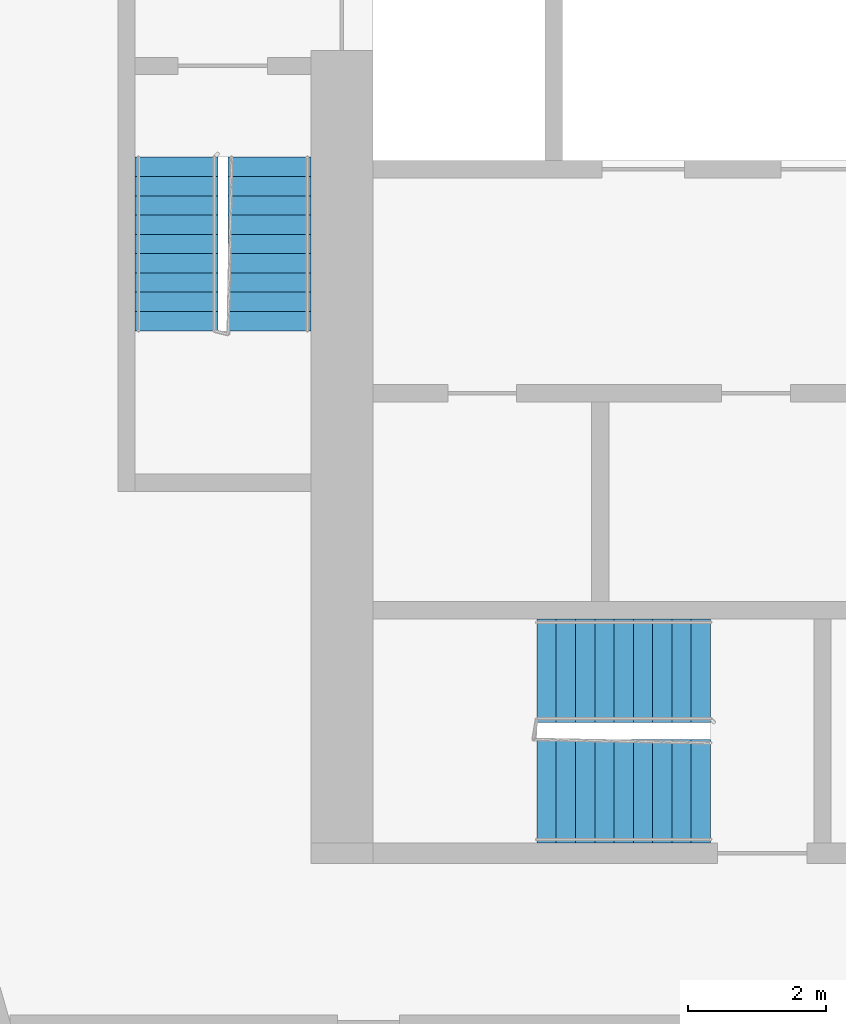
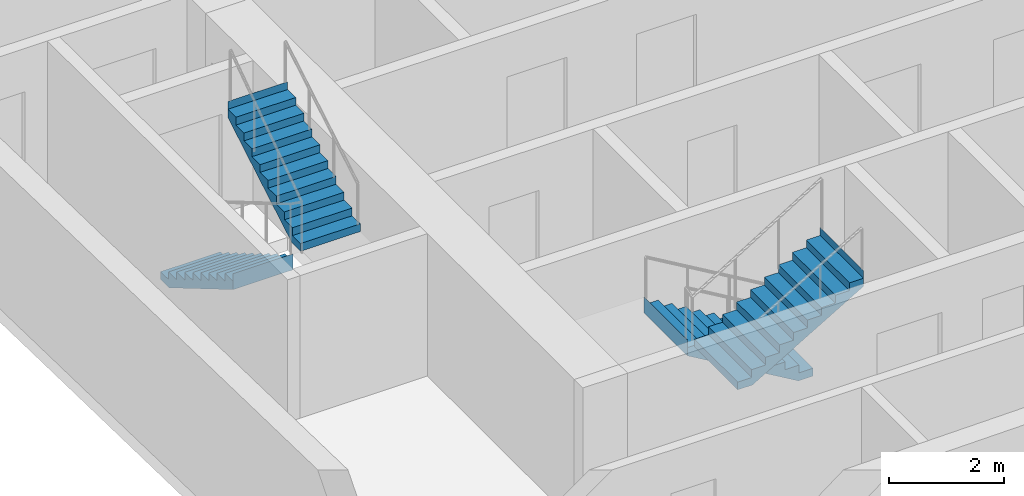
# One storey, part 8 of 11: 4 stair flights, 2 elements without a shape of their own.
"""IFC4 building model written with IfcOpenShell, lengths in metres."""

from ifc_helpers import new_model, si_unit, direction, frame, origin, place, context, subcontext, project, spatial, faceted_brep, material, type_object, element, aggregate, save


model = new_model("IFC4")

# Units and contexts
model_context = context("Model", 3, precision=1e-05, world=origin(), true_north=direction((0.0, 1.0)))
body_context = subcontext(model_context, "Body", "Model", "MODEL_VIEW")
ifc_project = project(units=[si_unit("LENGTHUNIT", "METRE"), si_unit("AREAUNIT", "SQUARE_METRE"), si_unit("VOLUMEUNIT", "CUBIC_METRE"), si_unit("PLANEANGLEUNIT", "RADIAN"), si_unit("MASSUNIT", "GRAM", prefix="KILO")], contexts=[model_context])

# Site, building, storey
site_placement = place(None, origin())
site = spatial("IfcSite", under=ifc_project, at=site_placement, CompositionType="ELEMENT")
building_placement = place(site_placement, origin())
building = spatial("IfcBuilding", under=site, at=building_placement, Name="Kajstack Hotel Tower", CompositionType="ELEMENT")
storey_placement = place(building_placement, frame((0.0, 0.0, 221.0)))
storey = spatial("IfcBuildingStorey", under=building, at=storey_placement, Name="L53", CompositionType="ELEMENT", Elevation=221.0)

# Stair, stair flights
ifc_material = material(Name="Concrete C40/50", Category="concrete")
stair_type_1 = type_object("IfcStairType", Name="Exit stair 1200", PredefinedType="HALF_TURN_STAIR", material=ifc_material)
stair_1_placement = place(storey_placement, origin())
stair_1 = element("IfcStair", 1, at=stair_1_placement, inside=storey, type_object=stair_type_1, Name="L53 stair W1", PredefinedType="HALF_TURN_STAIR")
stair_flight_type_1 = type_object("IfcStairFlightType", Name="Exit stair flight 1200", PredefinedType="STRAIGHT", material=ifc_material)
stair_flight_1_placement = place(storey_placement, frame((-33.449951171875, -5.25, 0.0), z_axis=(0.0, 0.0, 1.0), x_axis=(0.0, -1.0, 0.0)))
stair_flight_1 = element("IfcStairFlight", 2, at=stair_flight_1_placement, type_object=stair_flight_type_1, Name="W1 flight 1", NumberOfRisers=10, NumberOfTreads=9, PredefinedType="STRAIGHT", RiserHeight=0.165, TreadLength=0.28, context=body_context, shape_type="Brep", body=[
    faceted_brep([(0.295654296875, -0.60009765625, 0.0), (2.5205078125, -0.60009765625, 1.31103515625), (2.5205078125, -0.60009765625, 1.64990234375), (2.52001953125, -0.60009765625, 1.64990234375), (2.52001953125, -0.60009765625, 1.485107421875), (2.239990234375, -0.60009765625, 1.485107421875), (2.239990234375, -0.60009765625, 1.320068359375), (1.9599609375, -0.60009765625, 1.320068359375), (1.9599609375, -0.60009765625, 1.155029296875), (1.679931640625, -0.60009765625, 1.155029296875), (1.679931640625, -0.60009765625, 0.989990234375), (1.39990234375, -0.60009765625, 0.989990234375), (1.39990234375, -0.60009765625, 0.824951171875), (1.1201171875, -0.60009765625, 0.824951171875), (1.1201171875, -0.60009765625, 0.659912109375), (0.840087890625, -0.60009765625, 0.659912109375), (0.840087890625, -0.60009765625, 0.4951171875), (0.56005859375, -0.60009765625, 0.4951171875), (0.56005859375, -0.60009765625, 0.330078125), (0.280029296875, -0.60009765625, 0.330078125), (0.280029296875, -0.60009765625, 0.1650390625), (-0.00048828125, -0.60009765625, 0.1650390625), (-0.00048828125, -0.60009765625, 0.0), (-0.00048828125, 0.60009765625, 0.0), (-0.00048828125, 0.60009765625, 0.1650390625), (0.280029296875, 0.60009765625, 0.1650390625), (0.280029296875, 0.60009765625, 0.330078125), (0.56005859375, 0.60009765625, 0.330078125), (0.56005859375, 0.60009765625, 0.4951171875), (0.840087890625, 0.60009765625, 0.4951171875), (0.840087890625, 0.60009765625, 0.659912109375), (1.1201171875, 0.60009765625, 0.659912109375), (1.1201171875, 0.60009765625, 0.824951171875), (1.39990234375, 0.60009765625, 0.824951171875), (1.39990234375, 0.60009765625, 0.989990234375), (1.679931640625, 0.60009765625, 0.989990234375), (1.679931640625, 0.60009765625, 1.155029296875), (1.9599609375, 0.60009765625, 1.155029296875), (1.9599609375, 0.60009765625, 1.320068359375), (2.239990234375, 0.60009765625, 1.320068359375), (2.239990234375, 0.60009765625, 1.485107421875), (2.52001953125, 0.60009765625, 1.485107421875), (2.52001953125, 0.60009765625, 1.64990234375), (2.5205078125, 0.60009765625, 1.64990234375), (2.5205078125, 0.60009765625, 1.31103515625), (0.295654296875, 0.60009765625, 0.0), (-0.00048828125, -0.300048828125, 0.1650390625), (-0.00048828125, 0.0, 0.1650390625), (-0.00048828125, 0.300048828125, 0.1650390625), (-0.00048828125, 0.300048828125, 0.0), (-0.00048828125, 0.0, 0.0), (-0.00048828125, -0.300048828125, 0.0), (0.280029296875, -0.300048828125, 0.1650390625), (0.280029296875, 0.0, 0.1650390625), (0.280029296875, 0.300048828125, 0.1650390625), (0.280029296875, -0.300048828125, 0.330078125), (0.280029296875, 0.0, 0.330078125), (0.280029296875, 0.300048828125, 0.330078125), (0.56005859375, -0.300048828125, 0.330078125), (0.56005859375, 0.0, 0.330078125), (0.56005859375, 0.300048828125, 0.330078125), (0.56005859375, -0.300048828125, 0.4951171875), (0.56005859375, 0.0, 0.4951171875), (0.56005859375, 0.300048828125, 0.4951171875), (0.840087890625, -0.300048828125, 0.4951171875), (0.840087890625, 0.0, 0.4951171875), (0.840087890625, 0.300048828125, 0.4951171875), (0.840087890625, -0.300048828125, 0.659912109375), (0.840087890625, 0.0, 0.659912109375), (0.840087890625, 0.300048828125, 0.659912109375), (1.1201171875, -0.300048828125, 0.659912109375), (1.1201171875, 0.0, 0.659912109375), (1.1201171875, 0.300048828125, 0.659912109375), (1.1201171875, -0.300048828125, 0.824951171875), (1.1201171875, 0.0, 0.824951171875), (1.1201171875, 0.300048828125, 0.824951171875), (1.39990234375, -0.300048828125, 0.824951171875), (1.39990234375, 0.0, 0.824951171875), (1.39990234375, 0.300048828125, 0.824951171875), (1.39990234375, -0.300048828125, 0.989990234375), (1.39990234375, 0.0, 0.989990234375), (1.39990234375, 0.300048828125, 0.989990234375), (1.679931640625, -0.300048828125, 0.989990234375), (1.679931640625, 0.0, 0.989990234375), (1.679931640625, 0.300048828125, 0.989990234375), (1.679931640625, -0.300048828125, 1.155029296875), (1.679931640625, 0.0, 1.155029296875), (1.679931640625, 0.300048828125, 1.155029296875), (1.9599609375, -0.300048828125, 1.155029296875), (1.9599609375, 0.0, 1.155029296875), (1.9599609375, 0.300048828125, 1.155029296875), (1.9599609375, -0.300048828125, 1.320068359375), (1.9599609375, 0.0, 1.320068359375), (1.9599609375, 0.300048828125, 1.320068359375), (2.239990234375, -0.300048828125, 1.320068359375), (2.239990234375, 0.0, 1.320068359375), (2.239990234375, 0.300048828125, 1.320068359375), (2.239990234375, -0.300048828125, 1.485107421875), (2.239990234375, 0.0, 1.485107421875), (2.239990234375, 0.300048828125, 1.485107421875), (2.52001953125, -0.300048828125, 1.485107421875), (2.52001953125, 0.0, 1.485107421875), (2.52001953125, 0.300048828125, 1.485107421875), (2.52001953125, -0.300048828125, 1.64990234375), (2.52001953125, 0.0, 1.64990234375), (2.52001953125, 0.300048828125, 1.64990234375), (2.5205078125, -0.300048828125, 1.64990234375), (2.5205078125, 0.0, 1.64990234375), (2.5205078125, 0.300048828125, 1.64990234375), (2.5205078125, -0.300048828125, 1.31103515625), (2.5205078125, 0.0, 1.31103515625), (2.5205078125, 0.300048828125, 1.31103515625), (0.295654296875, -0.300048828125, 0.0), (0.295654296875, 0.0, 0.0), (0.295654296875, 0.300048828125, 0.0)], [[[0, 1, 2, 3, 4, 5, 6, 7, 8, 9, 10, 11, 12, 13, 14, 15, 16, 17, 18, 19, 20, 21, 22]], [[23, 24, 25, 26, 27, 28, 29, 30, 31, 32, 33, 34, 35, 36, 37, 38, 39, 40, 41, 42, 43, 44, 45]], [[21, 46, 47, 48, 24, 23, 49, 50, 51, 22]], [[20, 52, 53, 54, 25, 24, 48, 47, 46, 21]], [[19, 55, 56, 57, 26, 25, 54, 53, 52, 20]], [[18, 58, 59, 60, 27, 26, 57, 56, 55, 19]], [[17, 61, 62, 63, 28, 27, 60, 59, 58, 18]], [[16, 64, 65, 66, 29, 28, 63, 62, 61, 17]], [[15, 67, 68, 69, 30, 29, 66, 65, 64, 16]], [[14, 70, 71, 72, 31, 30, 69, 68, 67, 15]], [[13, 73, 74, 75, 32, 31, 72, 71, 70, 14]], [[12, 76, 77, 78, 33, 32, 75, 74, 73, 13]], [[11, 79, 80, 81, 34, 33, 78, 77, 76, 12]], [[10, 82, 83, 84, 35, 34, 81, 80, 79, 11]], [[9, 85, 86, 87, 36, 35, 84, 83, 82, 10]], [[8, 88, 89, 90, 37, 36, 87, 86, 85, 9]], [[7, 91, 92, 93, 38, 37, 90, 89, 88, 8]], [[6, 94, 95, 96, 39, 38, 93, 92, 91, 7]], [[5, 97, 98, 99, 40, 39, 96, 95, 94, 6]], [[4, 100, 101, 102, 41, 40, 99, 98, 97, 5]], [[3, 103, 104, 105, 42, 41, 102, 101, 100, 4]], [[2, 106, 107, 108, 43, 42, 105, 104, 103, 3]], [[1, 109, 110, 111, 44, 43, 108, 107, 106, 2]], [[0, 112, 113, 114, 45, 44, 111, 110, 109, 1]], [[22, 51, 50, 49, 23, 45, 114, 113, 112, 0]]]),
])
stair_flight_2_placement = place(storey_placement, frame((-32.10009765625, -7.77001953125, 1.64990234375), z_axis=(0.0, 0.0, 1.0), x_axis=(0.0, 1.0, 0.0)))
stair_flight_2 = element("IfcStairFlight", 3, at=stair_flight_2_placement, type_object=stair_flight_type_1, Name="W1 flight 2", NumberOfRisers=10, NumberOfTreads=9, PredefinedType="STRAIGHT", RiserHeight=0.165, TreadLength=0.28, context=body_context, shape_type="Brep", body=[
    faceted_brep([(0.295654296875, -0.60009765625, 0.0), (2.5205078125, -0.60009765625, 1.31103515625), (2.5205078125, -0.60009765625, 1.64990234375), (2.52001953125, -0.60009765625, 1.64990234375), (2.52001953125, -0.60009765625, 1.485107421875), (2.239990234375, -0.60009765625, 1.485107421875), (2.239990234375, -0.60009765625, 1.320068359375), (1.9599609375, -0.60009765625, 1.320068359375), (1.9599609375, -0.60009765625, 1.155029296875), (1.679931640625, -0.60009765625, 1.155029296875), (1.679931640625, -0.60009765625, 0.989990234375), (1.39990234375, -0.60009765625, 0.989990234375), (1.39990234375, -0.60009765625, 0.824951171875), (1.1201171875, -0.60009765625, 0.824951171875), (1.1201171875, -0.60009765625, 0.659912109375), (0.840087890625, -0.60009765625, 0.659912109375), (0.840087890625, -0.60009765625, 0.4951171875), (0.56005859375, -0.60009765625, 0.4951171875), (0.56005859375, -0.60009765625, 0.330078125), (0.280029296875, -0.60009765625, 0.330078125), (0.280029296875, -0.60009765625, 0.1650390625), (-0.00048828125, -0.60009765625, 0.1650390625), (-0.00048828125, -0.60009765625, 0.0), (-0.00048828125, 0.60009765625, 0.0), (-0.00048828125, 0.60009765625, 0.1650390625), (0.280029296875, 0.60009765625, 0.1650390625), (0.280029296875, 0.60009765625, 0.330078125), (0.56005859375, 0.60009765625, 0.330078125), (0.56005859375, 0.60009765625, 0.4951171875), (0.840087890625, 0.60009765625, 0.4951171875), (0.840087890625, 0.60009765625, 0.659912109375), (1.1201171875, 0.60009765625, 0.659912109375), (1.1201171875, 0.60009765625, 0.824951171875), (1.39990234375, 0.60009765625, 0.824951171875), (1.39990234375, 0.60009765625, 0.989990234375), (1.679931640625, 0.60009765625, 0.989990234375), (1.679931640625, 0.60009765625, 1.155029296875), (1.9599609375, 0.60009765625, 1.155029296875), (1.9599609375, 0.60009765625, 1.320068359375), (2.239990234375, 0.60009765625, 1.320068359375), (2.239990234375, 0.60009765625, 1.485107421875), (2.52001953125, 0.60009765625, 1.485107421875), (2.52001953125, 0.60009765625, 1.64990234375), (2.5205078125, 0.60009765625, 1.64990234375), (2.5205078125, 0.60009765625, 1.31103515625), (0.295654296875, 0.60009765625, 0.0), (-0.00048828125, -0.300048828125, 0.1650390625), (-0.00048828125, 0.0, 0.1650390625), (-0.00048828125, 0.300048828125, 0.1650390625), (-0.00048828125, 0.300048828125, 0.0), (-0.00048828125, 0.0, 0.0), (-0.00048828125, -0.300048828125, 0.0), (0.280029296875, -0.300048828125, 0.1650390625), (0.280029296875, 0.0, 0.1650390625), (0.280029296875, 0.300048828125, 0.1650390625), (0.280029296875, -0.300048828125, 0.330078125), (0.280029296875, 0.0, 0.330078125), (0.280029296875, 0.300048828125, 0.330078125), (0.56005859375, -0.300048828125, 0.330078125), (0.56005859375, 0.0, 0.330078125), (0.56005859375, 0.300048828125, 0.330078125), (0.56005859375, -0.300048828125, 0.4951171875), (0.56005859375, 0.0, 0.4951171875), (0.56005859375, 0.300048828125, 0.4951171875), (0.840087890625, -0.300048828125, 0.4951171875), (0.840087890625, 0.0, 0.4951171875), (0.840087890625, 0.300048828125, 0.4951171875), (0.840087890625, -0.300048828125, 0.659912109375), (0.840087890625, 0.0, 0.659912109375), (0.840087890625, 0.300048828125, 0.659912109375), (1.1201171875, -0.300048828125, 0.659912109375), (1.1201171875, 0.0, 0.659912109375), (1.1201171875, 0.300048828125, 0.659912109375), (1.1201171875, -0.300048828125, 0.824951171875), (1.1201171875, 0.0, 0.824951171875), (1.1201171875, 0.300048828125, 0.824951171875), (1.39990234375, -0.300048828125, 0.824951171875), (1.39990234375, 0.0, 0.824951171875), (1.39990234375, 0.300048828125, 0.824951171875), (1.39990234375, -0.300048828125, 0.989990234375), (1.39990234375, 0.0, 0.989990234375), (1.39990234375, 0.300048828125, 0.989990234375), (1.679931640625, -0.300048828125, 0.989990234375), (1.679931640625, 0.0, 0.989990234375), (1.679931640625, 0.300048828125, 0.989990234375), (1.679931640625, -0.300048828125, 1.155029296875), (1.679931640625, 0.0, 1.155029296875), (1.679931640625, 0.300048828125, 1.155029296875), (1.9599609375, -0.300048828125, 1.155029296875), (1.9599609375, 0.0, 1.155029296875), (1.9599609375, 0.300048828125, 1.155029296875), (1.9599609375, -0.300048828125, 1.320068359375), (1.9599609375, 0.0, 1.320068359375), (1.9599609375, 0.300048828125, 1.320068359375), (2.239990234375, -0.300048828125, 1.320068359375), (2.239990234375, 0.0, 1.320068359375), (2.239990234375, 0.300048828125, 1.320068359375), (2.239990234375, -0.300048828125, 1.485107421875), (2.239990234375, 0.0, 1.485107421875), (2.239990234375, 0.300048828125, 1.485107421875), (2.52001953125, -0.300048828125, 1.485107421875), (2.52001953125, 0.0, 1.485107421875), (2.52001953125, 0.300048828125, 1.485107421875), (2.52001953125, -0.300048828125, 1.64990234375), (2.52001953125, 0.0, 1.64990234375), (2.52001953125, 0.300048828125, 1.64990234375), (2.5205078125, -0.300048828125, 1.64990234375), (2.5205078125, 0.0, 1.64990234375), (2.5205078125, 0.300048828125, 1.64990234375), (2.5205078125, -0.300048828125, 1.31103515625), (2.5205078125, 0.0, 1.31103515625), (2.5205078125, 0.300048828125, 1.31103515625), (0.295654296875, -0.300048828125, 0.0), (0.295654296875, 0.0, 0.0), (0.295654296875, 0.300048828125, 0.0)], [[[0, 1, 2, 3, 4, 5, 6, 7, 8, 9, 10, 11, 12, 13, 14, 15, 16, 17, 18, 19, 20, 21, 22]], [[23, 24, 25, 26, 27, 28, 29, 30, 31, 32, 33, 34, 35, 36, 37, 38, 39, 40, 41, 42, 43, 44, 45]], [[21, 46, 47, 48, 24, 23, 49, 50, 51, 22]], [[20, 52, 53, 54, 25, 24, 48, 47, 46, 21]], [[19, 55, 56, 57, 26, 25, 54, 53, 52, 20]], [[18, 58, 59, 60, 27, 26, 57, 56, 55, 19]], [[17, 61, 62, 63, 28, 27, 60, 59, 58, 18]], [[16, 64, 65, 66, 29, 28, 63, 62, 61, 17]], [[15, 67, 68, 69, 30, 29, 66, 65, 64, 16]], [[14, 70, 71, 72, 31, 30, 69, 68, 67, 15]], [[13, 73, 74, 75, 32, 31, 72, 71, 70, 14]], [[12, 76, 77, 78, 33, 32, 75, 74, 73, 13]], [[11, 79, 80, 81, 34, 33, 78, 77, 76, 12]], [[10, 82, 83, 84, 35, 34, 81, 80, 79, 11]], [[9, 85, 86, 87, 36, 35, 84, 83, 82, 10]], [[8, 88, 89, 90, 37, 36, 87, 86, 85, 9]], [[7, 91, 92, 93, 38, 37, 90, 89, 88, 8]], [[6, 94, 95, 96, 39, 38, 93, 92, 91, 7]], [[5, 97, 98, 99, 40, 39, 96, 95, 94, 6]], [[4, 100, 101, 102, 41, 40, 99, 98, 97, 5]], [[3, 103, 104, 105, 42, 41, 102, 101, 100, 4]], [[2, 106, 107, 108, 43, 42, 105, 104, 103, 3]], [[1, 109, 110, 111, 44, 43, 108, 107, 106, 2]], [[0, 112, 113, 114, 45, 44, 111, 110, 109, 1]], [[22, 51, 50, 49, 23, 45, 114, 113, 112, 0]]]),
])
aggregate(stair_1, [stair_flight_1, stair_flight_2])

stair_type_2 = type_object("IfcStairType", Name="Exit stair 1500", PredefinedType="HALF_TURN_STAIR", material=ifc_material)
stair_2_placement = place(storey_placement, origin())
stair_2 = element("IfcStair", 4, at=stair_2_placement, inside=storey, type_object=stair_type_2, Name="L53 stair W3", PredefinedType="HALF_TURN_STAIR")
stair_flight_type_2 = type_object("IfcStairFlightType", Name="Exit stair flight 1500", PredefinedType="STRAIGHT", material=ifc_material)
stair_flight_3_placement = place(storey_placement, frame((-25.699951171875, -12.699951171875, 0.0), z_axis=(0.0, 0.0, 1.0), x_axis=(-1.0, 0.0, 0.0)))
stair_flight_3 = element("IfcStairFlight", 5, at=stair_flight_3_placement, type_object=stair_flight_type_2, Name="W3 flight 1", NumberOfRisers=10, NumberOfTreads=9, PredefinedType="STRAIGHT", RiserHeight=0.165, TreadLength=0.28, context=body_context, shape_type="Brep", body=[
    faceted_brep([(0.295654296875, -0.75, 0.0), (2.5205078125, -0.75, 1.31103515625), (2.5205078125, -0.75, 1.64990234375), (2.52001953125, -0.75, 1.64990234375), (2.52001953125, -0.75, 1.485107421875), (2.239990234375, -0.75, 1.485107421875), (2.239990234375, -0.75, 1.320068359375), (1.9599609375, -0.75, 1.320068359375), (1.9599609375, -0.75, 1.155029296875), (1.679931640625, -0.75, 1.155029296875), (1.679931640625, -0.75, 0.989990234375), (1.39990234375, -0.75, 0.989990234375), (1.39990234375, -0.75, 0.824951171875), (1.1201171875, -0.75, 0.824951171875), (1.1201171875, -0.75, 0.659912109375), (0.840087890625, -0.75, 0.659912109375), (0.840087890625, -0.75, 0.4951171875), (0.56005859375, -0.75, 0.4951171875), (0.56005859375, -0.75, 0.330078125), (0.280029296875, -0.75, 0.330078125), (0.280029296875, -0.75, 0.1650390625), (-0.00048828125, -0.75, 0.1650390625), (-0.00048828125, -0.75, 0.0), (-0.00048828125, 0.75, 0.0), (-0.00048828125, 0.75, 0.1650390625), (0.280029296875, 0.75, 0.1650390625), (0.280029296875, 0.75, 0.330078125), (0.56005859375, 0.75, 0.330078125), (0.56005859375, 0.75, 0.4951171875), (0.840087890625, 0.75, 0.4951171875), (0.840087890625, 0.75, 0.659912109375), (1.1201171875, 0.75, 0.659912109375), (1.1201171875, 0.75, 0.824951171875), (1.39990234375, 0.75, 0.824951171875), (1.39990234375, 0.75, 0.989990234375), (1.679931640625, 0.75, 0.989990234375), (1.679931640625, 0.75, 1.155029296875), (1.9599609375, 0.75, 1.155029296875), (1.9599609375, 0.75, 1.320068359375), (2.239990234375, 0.75, 1.320068359375), (2.239990234375, 0.75, 1.485107421875), (2.52001953125, 0.75, 1.485107421875), (2.52001953125, 0.75, 1.64990234375), (2.5205078125, 0.75, 1.64990234375), (2.5205078125, 0.75, 1.31103515625), (0.295654296875, 0.75, 0.0), (-0.00048828125, -0.375, 0.1650390625), (-0.00048828125, 0.0, 0.1650390625), (-0.00048828125, 0.375, 0.1650390625), (-0.00048828125, 0.375, 0.0), (-0.00048828125, 0.0, 0.0), (-0.00048828125, -0.375, 0.0), (0.280029296875, -0.375, 0.1650390625), (0.280029296875, 0.0, 0.1650390625), (0.280029296875, 0.375, 0.1650390625), (0.280029296875, -0.375, 0.330078125), (0.280029296875, 0.0, 0.330078125), (0.280029296875, 0.375, 0.330078125), (0.56005859375, -0.375, 0.330078125), (0.56005859375, 0.0, 0.330078125), (0.56005859375, 0.375, 0.330078125), (0.56005859375, -0.375, 0.4951171875), (0.56005859375, 0.0, 0.4951171875), (0.56005859375, 0.375, 0.4951171875), (0.840087890625, -0.375, 0.4951171875), (0.840087890625, 0.0, 0.4951171875), (0.840087890625, 0.375, 0.4951171875), (0.840087890625, -0.375, 0.659912109375), (0.840087890625, 0.0, 0.659912109375), (0.840087890625, 0.375, 0.659912109375), (1.1201171875, -0.375, 0.659912109375), (1.1201171875, 0.0, 0.659912109375), (1.1201171875, 0.375, 0.659912109375), (1.1201171875, -0.375, 0.824951171875), (1.1201171875, 0.0, 0.824951171875), (1.1201171875, 0.375, 0.824951171875), (1.39990234375, -0.375, 0.824951171875), (1.39990234375, 0.0, 0.824951171875), (1.39990234375, 0.375, 0.824951171875), (1.39990234375, -0.375, 0.989990234375), (1.39990234375, 0.0, 0.989990234375), (1.39990234375, 0.375, 0.989990234375), (1.679931640625, -0.375, 0.989990234375), (1.679931640625, 0.0, 0.989990234375), (1.679931640625, 0.375, 0.989990234375), (1.679931640625, -0.375, 1.155029296875), (1.679931640625, 0.0, 1.155029296875), (1.679931640625, 0.375, 1.155029296875), (1.9599609375, -0.375, 1.155029296875), (1.9599609375, 0.0, 1.155029296875), (1.9599609375, 0.375, 1.155029296875), (1.9599609375, -0.375, 1.320068359375), (1.9599609375, 0.0, 1.320068359375), (1.9599609375, 0.375, 1.320068359375), (2.239990234375, -0.375, 1.320068359375), (2.239990234375, 0.0, 1.320068359375), (2.239990234375, 0.375, 1.320068359375), (2.239990234375, -0.375, 1.485107421875), (2.239990234375, 0.0, 1.485107421875), (2.239990234375, 0.375, 1.485107421875), (2.52001953125, -0.375, 1.485107421875), (2.52001953125, 0.0, 1.485107421875), (2.52001953125, 0.375, 1.485107421875), (2.52001953125, -0.375, 1.64990234375), (2.52001953125, 0.0, 1.64990234375), (2.52001953125, 0.375, 1.64990234375), (2.5205078125, -0.375, 1.64990234375), (2.5205078125, 0.0, 1.64990234375), (2.5205078125, 0.375, 1.64990234375), (2.5205078125, -0.375, 1.31103515625), (2.5205078125, 0.0, 1.31103515625), (2.5205078125, 0.375, 1.31103515625), (0.295654296875, -0.375, 0.0), (0.295654296875, 0.0, 0.0), (0.295654296875, 0.375, 0.0)], [[[0, 1, 2, 3, 4, 5, 6, 7, 8, 9, 10, 11, 12, 13, 14, 15, 16, 17, 18, 19, 20, 21, 22]], [[23, 24, 25, 26, 27, 28, 29, 30, 31, 32, 33, 34, 35, 36, 37, 38, 39, 40, 41, 42, 43, 44, 45]], [[21, 46, 47, 48, 24, 23, 49, 50, 51, 22]], [[20, 52, 53, 54, 25, 24, 48, 47, 46, 21]], [[19, 55, 56, 57, 26, 25, 54, 53, 52, 20]], [[18, 58, 59, 60, 27, 26, 57, 56, 55, 19]], [[17, 61, 62, 63, 28, 27, 60, 59, 58, 18]], [[16, 64, 65, 66, 29, 28, 63, 62, 61, 17]], [[15, 67, 68, 69, 30, 29, 66, 65, 64, 16]], [[14, 70, 71, 72, 31, 30, 69, 68, 67, 15]], [[13, 73, 74, 75, 32, 31, 72, 71, 70, 14]], [[12, 76, 77, 78, 33, 32, 75, 74, 73, 13]], [[11, 79, 80, 81, 34, 33, 78, 77, 76, 12]], [[10, 82, 83, 84, 35, 34, 81, 80, 79, 11]], [[9, 85, 86, 87, 36, 35, 84, 83, 82, 10]], [[8, 88, 89, 90, 37, 36, 87, 86, 85, 9]], [[7, 91, 92, 93, 38, 37, 90, 89, 88, 8]], [[6, 94, 95, 96, 39, 38, 93, 92, 91, 7]], [[5, 97, 98, 99, 40, 39, 96, 95, 94, 6]], [[4, 100, 101, 102, 41, 40, 99, 98, 97, 5]], [[3, 103, 104, 105, 42, 41, 102, 101, 100, 4]], [[2, 106, 107, 108, 43, 42, 105, 104, 103, 3]], [[1, 109, 110, 111, 44, 43, 108, 107, 106, 2]], [[0, 112, 113, 114, 45, 44, 111, 110, 109, 1]], [[22, 51, 50, 49, 23, 45, 114, 113, 112, 0]]]),
])
stair_flight_4_placement = place(storey_placement, frame((-28.219970703125, -14.449951171875, 1.64990234375), z_axis=(0.0, 0.0, 1.0), x_axis=(1.0, 0.0, 0.0)))
stair_flight_4 = element("IfcStairFlight", 6, at=stair_flight_4_placement, type_object=stair_flight_type_2, Name="W3 flight 2", NumberOfRisers=10, NumberOfTreads=9, PredefinedType="STRAIGHT", RiserHeight=0.165, TreadLength=0.28, context=body_context, shape_type="Brep", body=[
    faceted_brep([(0.295654296875, -0.75, 0.0), (2.5205078125, -0.75, 1.31103515625), (2.5205078125, -0.75, 1.64990234375), (2.52001953125, -0.75, 1.64990234375), (2.52001953125, -0.75, 1.485107421875), (2.239990234375, -0.75, 1.485107421875), (2.239990234375, -0.75, 1.320068359375), (1.9599609375, -0.75, 1.320068359375), (1.9599609375, -0.75, 1.155029296875), (1.679931640625, -0.75, 1.155029296875), (1.679931640625, -0.75, 0.989990234375), (1.39990234375, -0.75, 0.989990234375), (1.39990234375, -0.75, 0.824951171875), (1.1201171875, -0.75, 0.824951171875), (1.1201171875, -0.75, 0.659912109375), (0.840087890625, -0.75, 0.659912109375), (0.840087890625, -0.75, 0.4951171875), (0.56005859375, -0.75, 0.4951171875), (0.56005859375, -0.75, 0.330078125), (0.280029296875, -0.75, 0.330078125), (0.280029296875, -0.75, 0.1650390625), (-0.00048828125, -0.75, 0.1650390625), (-0.00048828125, -0.75, 0.0), (-0.00048828125, 0.75, 0.0), (-0.00048828125, 0.75, 0.1650390625), (0.280029296875, 0.75, 0.1650390625), (0.280029296875, 0.75, 0.330078125), (0.56005859375, 0.75, 0.330078125), (0.56005859375, 0.75, 0.4951171875), (0.840087890625, 0.75, 0.4951171875), (0.840087890625, 0.75, 0.659912109375), (1.1201171875, 0.75, 0.659912109375), (1.1201171875, 0.75, 0.824951171875), (1.39990234375, 0.75, 0.824951171875), (1.39990234375, 0.75, 0.989990234375), (1.679931640625, 0.75, 0.989990234375), (1.679931640625, 0.75, 1.155029296875), (1.9599609375, 0.75, 1.155029296875), (1.9599609375, 0.75, 1.320068359375), (2.239990234375, 0.75, 1.320068359375), (2.239990234375, 0.75, 1.485107421875), (2.52001953125, 0.75, 1.485107421875), (2.52001953125, 0.75, 1.64990234375), (2.5205078125, 0.75, 1.64990234375), (2.5205078125, 0.75, 1.31103515625), (0.295654296875, 0.75, 0.0), (-0.00048828125, -0.375, 0.1650390625), (-0.00048828125, 0.0, 0.1650390625), (-0.00048828125, 0.375, 0.1650390625), (-0.00048828125, 0.375, 0.0), (-0.00048828125, 0.0, 0.0), (-0.00048828125, -0.375, 0.0), (0.280029296875, -0.375, 0.1650390625), (0.280029296875, 0.0, 0.1650390625), (0.280029296875, 0.375, 0.1650390625), (0.280029296875, -0.375, 0.330078125), (0.280029296875, 0.0, 0.330078125), (0.280029296875, 0.375, 0.330078125), (0.56005859375, -0.375, 0.330078125), (0.56005859375, 0.0, 0.330078125), (0.56005859375, 0.375, 0.330078125), (0.56005859375, -0.375, 0.4951171875), (0.56005859375, 0.0, 0.4951171875), (0.56005859375, 0.375, 0.4951171875), (0.840087890625, -0.375, 0.4951171875), (0.840087890625, 0.0, 0.4951171875), (0.840087890625, 0.375, 0.4951171875), (0.840087890625, -0.375, 0.659912109375), (0.840087890625, 0.0, 0.659912109375), (0.840087890625, 0.375, 0.659912109375), (1.1201171875, -0.375, 0.659912109375), (1.1201171875, 0.0, 0.659912109375), (1.1201171875, 0.375, 0.659912109375), (1.1201171875, -0.375, 0.824951171875), (1.1201171875, 0.0, 0.824951171875), (1.1201171875, 0.375, 0.824951171875), (1.39990234375, -0.375, 0.824951171875), (1.39990234375, 0.0, 0.824951171875), (1.39990234375, 0.375, 0.824951171875), (1.39990234375, -0.375, 0.989990234375), (1.39990234375, 0.0, 0.989990234375), (1.39990234375, 0.375, 0.989990234375), (1.679931640625, -0.375, 0.989990234375), (1.679931640625, 0.0, 0.989990234375), (1.679931640625, 0.375, 0.989990234375), (1.679931640625, -0.375, 1.155029296875), (1.679931640625, 0.0, 1.155029296875), (1.679931640625, 0.375, 1.155029296875), (1.9599609375, -0.375, 1.155029296875), (1.9599609375, 0.0, 1.155029296875), (1.9599609375, 0.375, 1.155029296875), (1.9599609375, -0.375, 1.320068359375), (1.9599609375, 0.0, 1.320068359375), (1.9599609375, 0.375, 1.320068359375), (2.239990234375, -0.375, 1.320068359375), (2.239990234375, 0.0, 1.320068359375), (2.239990234375, 0.375, 1.320068359375), (2.239990234375, -0.375, 1.485107421875), (2.239990234375, 0.0, 1.485107421875), (2.239990234375, 0.375, 1.485107421875), (2.52001953125, -0.375, 1.485107421875), (2.52001953125, 0.0, 1.485107421875), (2.52001953125, 0.375, 1.485107421875), (2.52001953125, -0.375, 1.64990234375), (2.52001953125, 0.0, 1.64990234375), (2.52001953125, 0.375, 1.64990234375), (2.5205078125, -0.375, 1.64990234375), (2.5205078125, 0.0, 1.64990234375), (2.5205078125, 0.375, 1.64990234375), (2.5205078125, -0.375, 1.31103515625), (2.5205078125, 0.0, 1.31103515625), (2.5205078125, 0.375, 1.31103515625), (0.295654296875, -0.375, 0.0), (0.295654296875, 0.0, 0.0), (0.295654296875, 0.375, 0.0)], [[[0, 1, 2, 3, 4, 5, 6, 7, 8, 9, 10, 11, 12, 13, 14, 15, 16, 17, 18, 19, 20, 21, 22]], [[23, 24, 25, 26, 27, 28, 29, 30, 31, 32, 33, 34, 35, 36, 37, 38, 39, 40, 41, 42, 43, 44, 45]], [[21, 46, 47, 48, 24, 23, 49, 50, 51, 22]], [[20, 52, 53, 54, 25, 24, 48, 47, 46, 21]], [[19, 55, 56, 57, 26, 25, 54, 53, 52, 20]], [[18, 58, 59, 60, 27, 26, 57, 56, 55, 19]], [[17, 61, 62, 63, 28, 27, 60, 59, 58, 18]], [[16, 64, 65, 66, 29, 28, 63, 62, 61, 17]], [[15, 67, 68, 69, 30, 29, 66, 65, 64, 16]], [[14, 70, 71, 72, 31, 30, 69, 68, 67, 15]], [[13, 73, 74, 75, 32, 31, 72, 71, 70, 14]], [[12, 76, 77, 78, 33, 32, 75, 74, 73, 13]], [[11, 79, 80, 81, 34, 33, 78, 77, 76, 12]], [[10, 82, 83, 84, 35, 34, 81, 80, 79, 11]], [[9, 85, 86, 87, 36, 35, 84, 83, 82, 10]], [[8, 88, 89, 90, 37, 36, 87, 86, 85, 9]], [[7, 91, 92, 93, 38, 37, 90, 89, 88, 8]], [[6, 94, 95, 96, 39, 38, 93, 92, 91, 7]], [[5, 97, 98, 99, 40, 39, 96, 95, 94, 6]], [[4, 100, 101, 102, 41, 40, 99, 98, 97, 5]], [[3, 103, 104, 105, 42, 41, 102, 101, 100, 4]], [[2, 106, 107, 108, 43, 42, 105, 104, 103, 3]], [[1, 109, 110, 111, 44, 43, 108, 107, 106, 2]], [[0, 112, 113, 114, 45, 44, 111, 110, 109, 1]], [[22, 51, 50, 49, 23, 45, 114, 113, 112, 0]]]),
])
aggregate(stair_2, [stair_flight_3, stair_flight_4])

save(model, "model.ifc")
